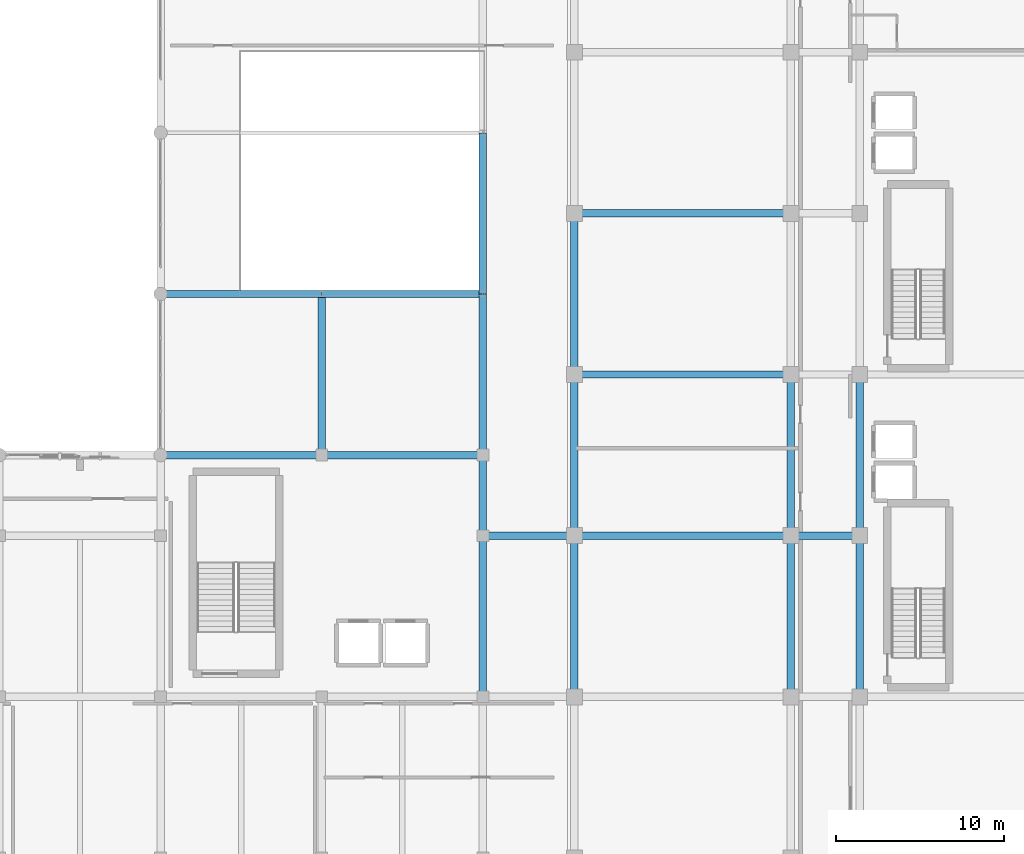
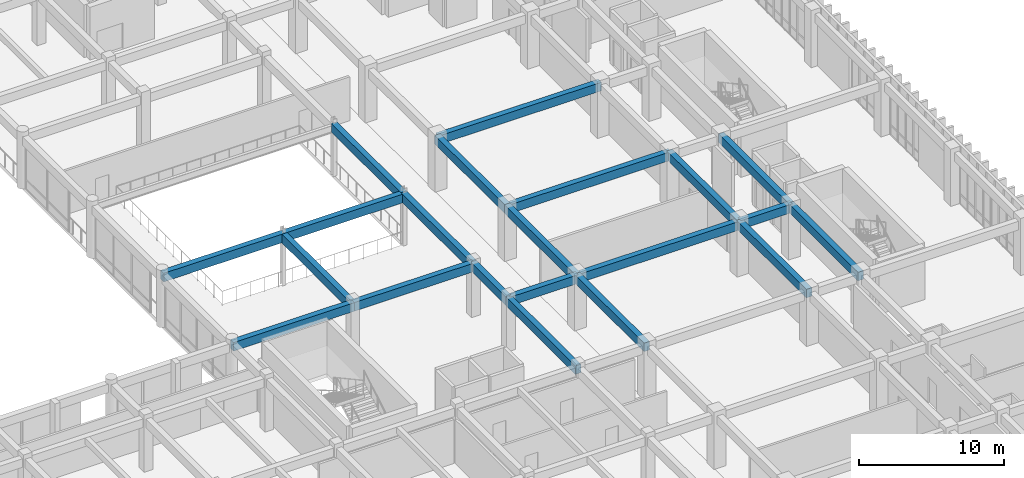
# One storey, part 61 of 133: 21 beams.
"""IFC4 building model written with IfcOpenShell, lengths in metres."""

from ifc_helpers import new_model, si_unit, direction, frame, origin, origin_2d, place, context, subcontext, project, spatial, rectangle, extrude, material, material_profile, profile_set, type_object, element, save


model = new_model("IFC4")

# Units and contexts
model_context = context("Model", 3, precision=1e-05, world=origin(), true_north=direction((0.0, 1.0)))
body_context = subcontext(model_context, "Body", "Model", "MODEL_VIEW")
ifc_project = project(units=[si_unit("LENGTHUNIT", "METRE"), si_unit("AREAUNIT", "SQUARE_METRE"), si_unit("VOLUMEUNIT", "CUBIC_METRE"), si_unit("PLANEANGLEUNIT", "RADIAN"), si_unit("MASSUNIT", "GRAM", prefix="KILO")], contexts=[model_context])

# Site, building, storey
site_placement = place(None, origin())
site = spatial("IfcSite", under=ifc_project, at=site_placement, CompositionType="ELEMENT")
building_placement = place(site_placement, origin())
building = spatial("IfcBuilding", under=site, at=building_placement, Name="Nakhvara Creek Congress Hotel", CompositionType="ELEMENT")
storey_placement = place(building_placement, frame((0.0, 0.0, 11.39990234375)))
storey = spatial("IfcBuildingStorey", under=building, at=storey_placement, Name="L02", CompositionType="ELEMENT", Elevation=11.39990234375)

# Beams
ifc_material = material(Name="Concrete C40/50", Category="concrete")
ifc_material_profile = material_profile(ifc_material, rectangle(XDim=0.43994140625, YDim=0.719970703125, at=origin_2d()), Name="RC-BM 440x720", Category="LoadBearing")
ifc_profile_set = profile_set([ifc_material_profile], Name="Concrete C40/50")
beam_type = type_object("IfcBeamType", Name="BM-RC-440X720", PredefinedType="BEAM", material=ifc_profile_set)
for number, where, z_axis, x_axis, name in (
    (1, (124.800048828125, 43.199951171875, 4.06005859375), (1.0, 0.0, 0.0), (0.0, 1.0, 0.0), "Beam B12-L02-1529"),
    (2, (124.800048828125, 52.800048828125, 4.06005859375), (1.0, 0.0, 0.0), (0.0, 1.0, 0.0), "Beam B12-L02-1531"),
):
    element("IfcBeam", number, at=place(storey_placement, frame(where, z_axis=z_axis, x_axis=x_axis)), inside=storey, type_object=beam_type, Name=name, PredefinedType="BEAM", context=body_context, shape_type="SweptSolid", body=[
        extrude(rectangle(XDim=0.43994140625, YDim=0.719970703125, at=origin_2d()), origin(), (0.0, 0.0, 1.0), 9.599853515625),
    ])
for number, where, z_axis, x_axis, name in (
    (3, (134.39990234375, 43.199951171875, 4.06005859375), (0.0, 1.0, 0.0), (-1.0, 0.0, 0.0), "Beam B12-L02-1547"),
    (4, (134.39990234375, 43.199951171875, 4.06005859375), (1.0, 0.0, 0.0), (0.0, 1.0, 0.0), "Beam B12-L02-1548"),
    (5, (134.39990234375, 52.800048828125, 4.06005859375), (1.0, 0.0, 0.0), (0.0, 1.0, 0.0), "Beam B12-L02-1549"),
):
    element("IfcBeam", number, at=place(storey_placement, frame(where, z_axis=z_axis, x_axis=x_axis)), inside=storey, type_object=beam_type, Name=name, PredefinedType="BEAM", context=body_context, shape_type="SweptSolid", body=[
        extrude(rectangle(XDim=0.43994140625, YDim=0.719970703125, at=origin_2d()), origin(), (0.0, 0.0, 1.0), 9.60009765625),
    ])
beam_1_placement = place(storey_placement, frame((144.0, 28.800048828125, 4.06005859375), z_axis=(0.0, 1.0, 0.0), x_axis=(-1.0, 0.0, 0.0)))
element("IfcBeam", 6, at=beam_1_placement, inside=storey, type_object=beam_type, Name="Beam B12-L02-1562", PredefinedType="BEAM", context=body_context, shape_type="SweptSolid", body=[
    extrude(rectangle(XDim=0.43994140625, YDim=0.719970703125, at=origin_2d()), origin(), (0.0, 0.0, 1.0), 9.599853515625),
])
beam_2_placement = place(storey_placement, frame((144.0, 38.39990234375, 4.06005859375), z_axis=(0.0, 1.0, 0.0), x_axis=(-1.0, 0.0, 0.0)))
element("IfcBeam", 7, at=beam_2_placement, inside=storey, type_object=beam_type, Name="Beam B12-L02-1564", PredefinedType="BEAM", context=body_context, shape_type="SweptSolid", body=[
    extrude(rectangle(XDim=0.43994140625, YDim=0.719970703125, at=origin_2d()), origin(), (0.0, 0.0, 1.0), 4.800048828125),
])
beam_3_placement = place(storey_placement, frame((144.0, 38.39990234375, 4.06005859375), z_axis=(1.0, 0.0, 0.0), x_axis=(0.0, 1.0, 0.0)))
element("IfcBeam", 8, at=beam_3_placement, inside=storey, type_object=beam_type, Name="Beam B12-L02-1565", PredefinedType="BEAM", context=body_context, shape_type="SweptSolid", body=[
    extrude(rectangle(XDim=0.43994140625, YDim=0.719970703125, at=origin_2d()), origin(), (0.0, 0.0, 1.0), 5.449951171875),
])
beam_4_placement = place(storey_placement, frame((144.0, 43.199951171875, 4.06005859375), z_axis=(0.0, 1.0, 0.0), x_axis=(-1.0, 0.0, 0.0)))
element("IfcBeam", 9, at=beam_4_placement, inside=storey, type_object=beam_type, Name="Beam B12-L02-1566", PredefinedType="BEAM", context=body_context, shape_type="SweptSolid", body=[
    extrude(rectangle(XDim=0.43994140625, YDim=0.719970703125, at=origin_2d()), origin(), (0.0, 0.0, 1.0), 9.60009765625),
])
for number, where, z_axis, x_axis, name in (
    (10, (144.0, 52.800048828125, 4.06005859375), (0.0, 1.0, 0.0), (-1.0, 0.0, 0.0), "Beam B12-L02-1567"),
    (11, (149.449951171875, 28.800048828125, 4.06005859375), (0.0, 1.0, 0.0), (-1.0, 0.0, 0.0), "Beam B12-L02-1580"),
):
    element("IfcBeam", number, at=place(storey_placement, frame(where, z_axis=z_axis, x_axis=x_axis)), inside=storey, type_object=beam_type, Name=name, PredefinedType="BEAM", context=body_context, shape_type="SweptSolid", body=[
        extrude(rectangle(XDim=0.43994140625, YDim=0.719970703125, at=origin_2d()), origin(), (0.0, 0.0, 1.0), 9.599853515625),
    ])
beam_5_placement = place(storey_placement, frame((149.449951171875, 38.39990234375, 4.06005859375), z_axis=(0.0, 1.0, 0.0), x_axis=(-1.0, 0.0, 0.0)))
element("IfcBeam", 12, at=beam_5_placement, inside=storey, type_object=beam_type, Name="Beam B12-L02-1582", PredefinedType="BEAM", context=body_context, shape_type="SweptSolid", body=[
    extrude(rectangle(XDim=0.43994140625, YDim=0.719970703125, at=origin_2d()), origin(), (0.0, 0.0, 1.0), 9.60009765625),
])
beam_6_placement = place(storey_placement, frame((149.449951171875, 38.39990234375, 4.06005859375), z_axis=(1.0, 0.0, 0.0), x_axis=(0.0, 1.0, 0.0)))
element("IfcBeam", 13, at=beam_6_placement, inside=storey, type_object=beam_type, Name="Beam B12-L02-1583", PredefinedType="BEAM", context=body_context, shape_type="SweptSolid", body=[
    extrude(rectangle(XDim=0.43994140625, YDim=0.719970703125, at=origin_2d()), origin(), (0.0, 0.0, 1.0), 12.900146484375),
])
beam_7_placement = place(storey_placement, frame((149.449951171875, 48.0, 4.06005859375), z_axis=(0.0, 1.0, 0.0), x_axis=(-1.0, 0.0, 0.0)))
element("IfcBeam", 14, at=beam_7_placement, inside=storey, type_object=beam_type, Name="Beam B12-L02-1584", PredefinedType="BEAM", context=body_context, shape_type="SweptSolid", body=[
    extrude(rectangle(XDim=0.43994140625, YDim=0.719970703125, at=origin_2d()), origin(), (0.0, 0.0, 1.0), 9.60009765625),
])
for number, where, z_axis, x_axis, name in (
    (15, (149.449951171875, 48.0, 4.06005859375), (1.0, 0.0, 0.0), (0.0, 1.0, 0.0), "Beam B12-L02-1585"),
    (16, (149.449951171875, 57.60009765625, 4.06005859375), (1.0, 0.0, 0.0), (0.0, 1.0, 0.0), "Beam B12-L02-1587"),
):
    element("IfcBeam", number, at=place(storey_placement, frame(where, z_axis=z_axis, x_axis=x_axis)), inside=storey, type_object=beam_type, Name=name, PredefinedType="BEAM", context=body_context, shape_type="SweptSolid", body=[
        extrude(rectangle(XDim=0.43994140625, YDim=0.719970703125, at=origin_2d()), origin(), (0.0, 0.0, 1.0), 12.900146484375),
    ])
beam_8_placement = place(storey_placement, frame((162.35009765625, 28.800048828125, 4.06005859375), z_axis=(0.0, 1.0, 0.0), x_axis=(-1.0, 0.0, 0.0)))
element("IfcBeam", 17, at=beam_8_placement, inside=storey, type_object=beam_type, Name="Beam B12-L02-1605", PredefinedType="BEAM", context=body_context, shape_type="SweptSolid", body=[
    extrude(rectangle(XDim=0.43994140625, YDim=0.719970703125, at=origin_2d()), origin(), (0.0, 0.0, 1.0), 9.599853515625),
])
beam_9_placement = place(storey_placement, frame((162.35009765625, 38.39990234375, 4.06005859375), z_axis=(0.0, 1.0, 0.0), x_axis=(-1.0, 0.0, 0.0)))
element("IfcBeam", 18, at=beam_9_placement, inside=storey, type_object=beam_type, Name="Beam B12-L02-1607", PredefinedType="BEAM", context=body_context, shape_type="SweptSolid", body=[
    extrude(rectangle(XDim=0.43994140625, YDim=0.719970703125, at=origin_2d()), origin(), (0.0, 0.0, 1.0), 9.60009765625),
])
beam_10_placement = place(storey_placement, frame((162.35009765625, 38.39990234375, 4.06005859375), z_axis=(1.0, 0.0, 0.0), x_axis=(0.0, 1.0, 0.0)))
element("IfcBeam", 19, at=beam_10_placement, inside=storey, type_object=beam_type, Name="Beam B12-L02-1608", PredefinedType="BEAM", context=body_context, shape_type="SweptSolid", body=[
    extrude(rectangle(XDim=0.43994140625, YDim=0.719970703125, at=origin_2d()), origin(), (0.0, 0.0, 1.0), 4.099853515625),
])
beam_11_placement = place(storey_placement, frame((166.449951171875, 28.800048828125, 4.06005859375), z_axis=(0.0, 1.0, 0.0), x_axis=(-1.0, 0.0, 0.0)))
element("IfcBeam", 20, at=beam_11_placement, inside=storey, type_object=beam_type, Name="Beam B12-L02-1632", PredefinedType="BEAM", context=body_context, shape_type="SweptSolid", body=[
    extrude(rectangle(XDim=0.43994140625, YDim=0.719970703125, at=origin_2d()), origin(), (0.0, 0.0, 1.0), 9.599853515625),
])
beam_12_placement = place(storey_placement, frame((166.449951171875, 38.39990234375, 4.06005859375), z_axis=(0.0, 1.0, 0.0), x_axis=(-1.0, 0.0, 0.0)))
element("IfcBeam", 21, at=beam_12_placement, inside=storey, type_object=beam_type, Name="Beam B12-L02-1634", PredefinedType="BEAM", context=body_context, shape_type="SweptSolid", body=[
    extrude(rectangle(XDim=0.43994140625, YDim=0.719970703125, at=origin_2d()), origin(), (0.0, 0.0, 1.0), 9.60009765625),
])

save(model, "model.ifc")
